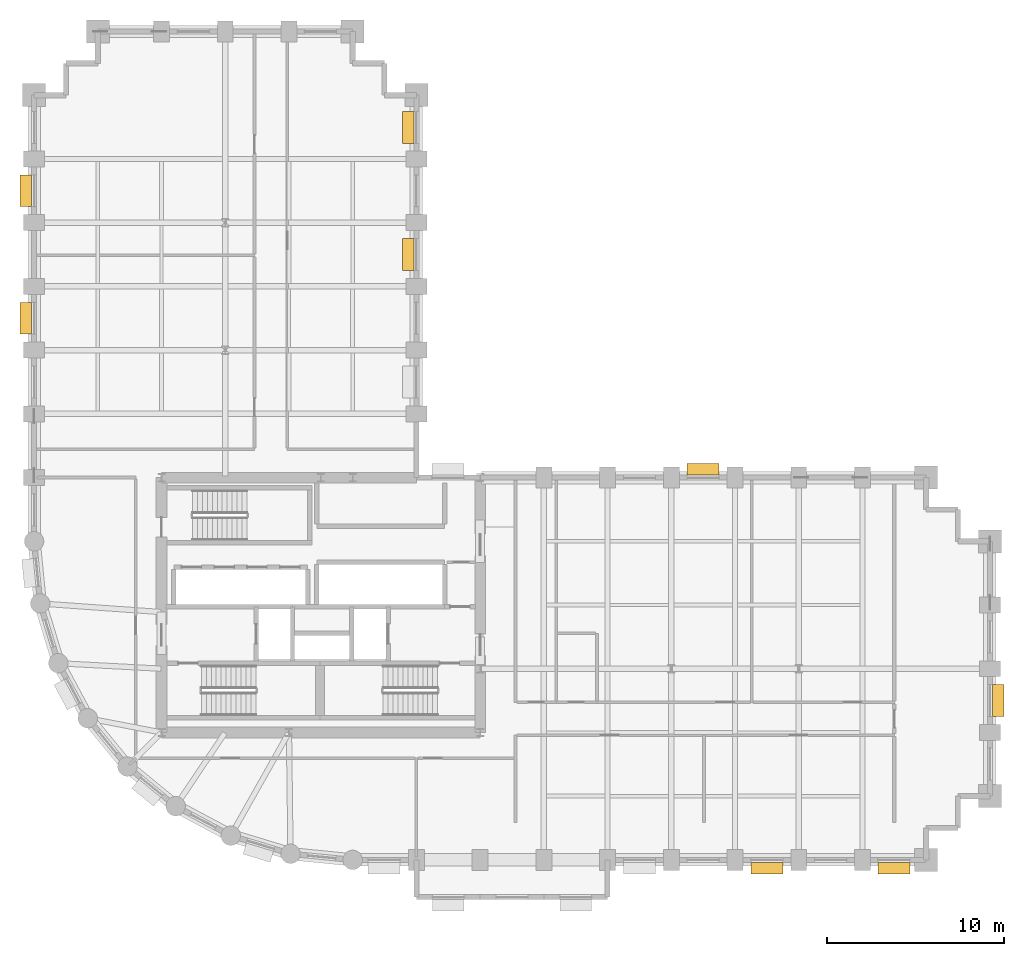
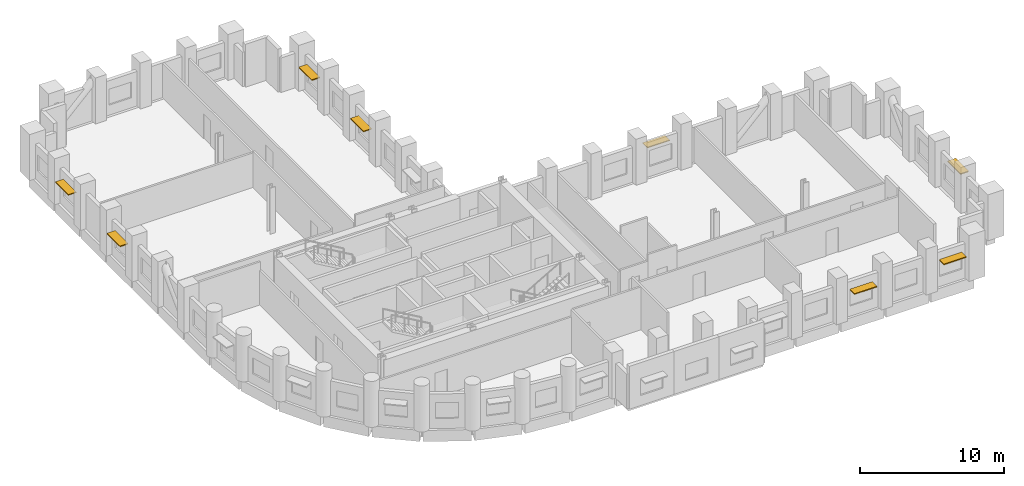
# One storey, part 12 of 12: 8 shading devices.
"""IFC4 building model written with IfcOpenShell, lengths in metres."""

from ifc_helpers import new_model, si_unit, direction, frame, origin, origin_2d, place, context, subcontext, project, spatial, rectangle, extrude, material, layer, layer_set, type_object, element, save


model = new_model("IFC4")

# Units and contexts
model_context = context("Model", 3, precision=1e-05, world=origin(), true_north=direction((0.0, 1.0)))
body_context = subcontext(model_context, "Body", "Model", "MODEL_VIEW")
ifc_project = project(units=[si_unit("LENGTHUNIT", "METRE"), si_unit("AREAUNIT", "SQUARE_METRE"), si_unit("VOLUMEUNIT", "CUBIC_METRE"), si_unit("PLANEANGLEUNIT", "RADIAN"), si_unit("MASSUNIT", "GRAM", prefix="KILO")], contexts=[model_context])

# Site, building, storey
site_placement = place(None, origin())
site = spatial("IfcSite", under=ifc_project, at=site_placement, CompositionType="ELEMENT")
building_placement = place(site_placement, origin())
building = spatial("IfcBuilding", under=site, at=building_placement, Name="Solnavia Interchange Tower", CompositionType="ELEMENT")
storey_placement = place(building_placement, frame((0.0, 0.0, 31.800048828125)))
storey = spatial("IfcBuildingStorey", under=building, at=storey_placement, Name="L07", CompositionType="ELEMENT", Elevation=31.800048828125)

# Shading devices
ifc_material = material(Name="Anodised Aluminium Sunshade", Category="aluminium")
ifc_layer = layer(ifc_material, 0.080078125)
ifc_layer_set = layer_set([ifc_layer], Name="Anodised Aluminium Sunshade")
shading_device_type = type_object("IfcShadingDeviceType", Name="Sunshade-Band-650", PredefinedType="SHUTTER", material=ifc_layer_set)
for number, where, z_axis, x_axis, name in (
    (1, (48.60009765625, 3.1298828125, 2.219970703125), (0.0, 0.0, 1.0), (-1.0, 0.0, 0.0), "SHD-L07-09 Horizontal sunshade band"),
    (2, (55.77490234375, 3.1298828125, 2.219970703125), (0.0, 0.0, 1.0), (-1.0, 0.0, 0.0), "SHD-L07-11 Horizontal sunshade band"),
    (3, (61.669921875, 12.60009765625, 2.219970703125), (0.0, 0.0, 1.0), (0.0, -1.0, 0.0), "SHD-L07-17 Horizontal sunshade band"),
    (4, (45.0, 25.669921875, 2.219970703125), (0.0, 0.0, 1.0), (1.0, 0.0, 0.0), "SHD-L07-27 Horizontal sunshade band"),
    (5, (28.330078125, 37.800048828125, 2.219970703125), (0.0, 0.0, 1.0), (0.0, 1.0, 0.0), "SHD-L07-35 Horizontal sunshade band"),
    (6, (28.330078125, 44.97509765625, 2.219970703125), (0.0, 0.0, 1.0), (0.0, 1.0, 0.0), "SHD-L07-37 Horizontal sunshade band"),
    (7, (6.72998046875, 41.39990234375, 2.219970703125), (0.0, 0.0, 1.0), (0.0, 1.0, 0.0), "SHD-L07-51 Horizontal sunshade band"),
    (8, (6.72998046875, 34.199951171875, 2.219970703125), (0.0, 0.0, 1.0), (0.0, 1.0, 0.0), "SHD-L07-53 Horizontal sunshade band"),
):
    element("IfcShadingDevice", number, at=place(storey_placement, frame(where, z_axis=z_axis, x_axis=x_axis)), inside=storey, type_object=shading_device_type, Name=name, PredefinedType="SHUTTER", context=body_context, shape_type="SweptSolid", body=[
        extrude(rectangle(XDim=1.800048828125, YDim=0.64990234375, at=origin_2d()), origin(), (0.0, 0.0, 1.0), 0.080078125),
    ])

save(model, "model.ifc")
